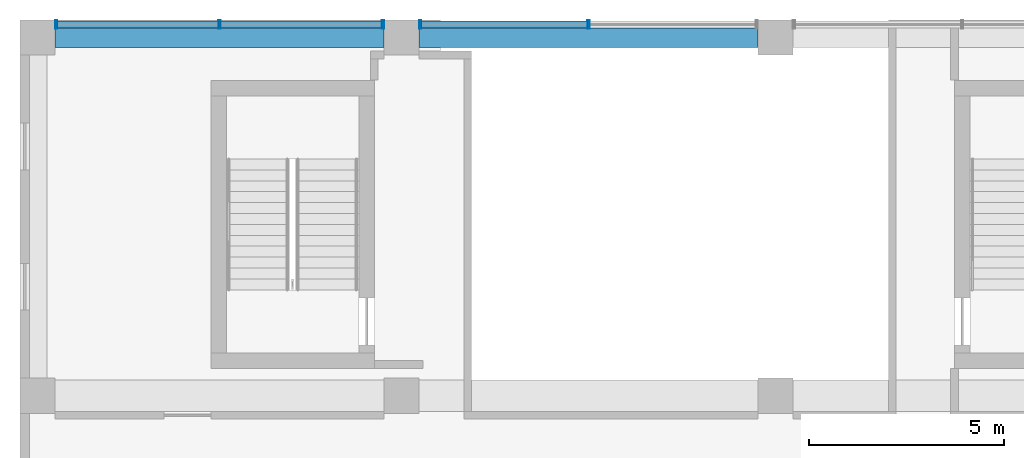
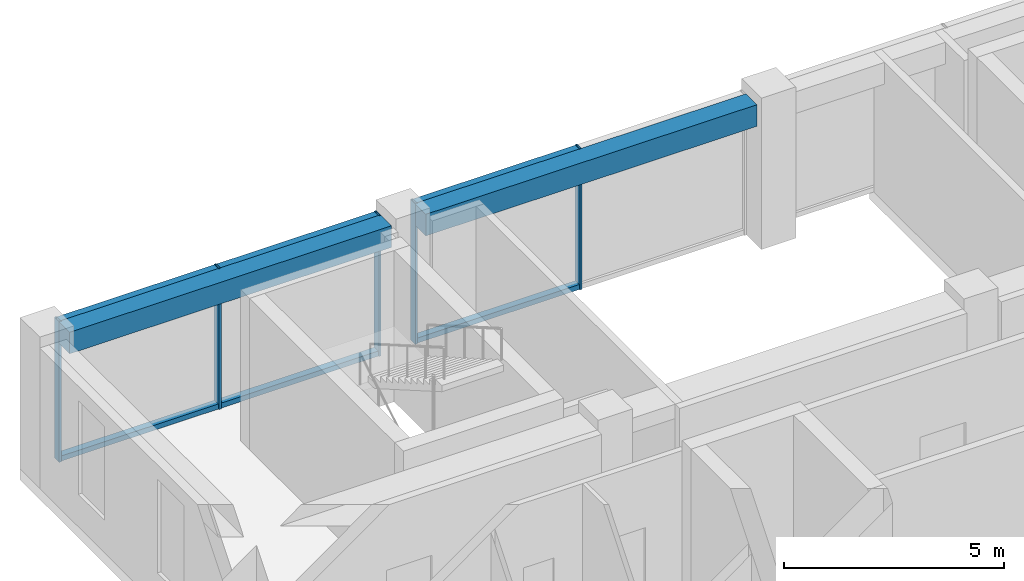
# One storey, part 21 of 37: 11 members, 2 beams, 2 elements without a shape of their own.
"""IFC4 building model written with IfcOpenShell, lengths in metres."""

from ifc_helpers import new_model, si_unit, direction, frame, origin, origin_2d, place, context, subcontext, project, spatial, rectangle, hollow_rectangle, extrude, material, layer, layer_set, material_profile, profile_set, type_object, element, aggregate, save


model = new_model("IFC4")

# Units and contexts
model_context = context("Model", 3, precision=1e-05, world=origin(), true_north=direction((0.0, 1.0)))
body_context = subcontext(model_context, "Body", "Model", "MODEL_VIEW")
ifc_project = project(units=[si_unit("LENGTHUNIT", "METRE"), si_unit("AREAUNIT", "SQUARE_METRE"), si_unit("VOLUMEUNIT", "CUBIC_METRE"), si_unit("PLANEANGLEUNIT", "RADIAN"), si_unit("MASSUNIT", "GRAM", prefix="KILO")], contexts=[model_context])

# Site, building, storey
site_placement = place(None, origin())
site = spatial("IfcSite", under=ifc_project, at=site_placement, CompositionType="ELEMENT")
building_placement = place(site_placement, origin())
building = spatial("IfcBuilding", under=site, at=building_placement, Name="Nzadi Deep Aquarium and Research Tower", CompositionType="ELEMENT")
storey_placement = place(building_placement, frame((0.0, 0.0, 61.300048828125)))
storey = spatial("IfcBuildingStorey", under=building, at=storey_placement, Name="L12", CompositionType="ELEMENT", Elevation=61.300048828125)

# Curtain wall, members
ifc_material_1 = material(Name="Aluminium unitised frame deep", Category="aluminium")
ifc_layer = layer(ifc_material_1, 0.22509765625)
ifc_layer_set = layer_set([ifc_layer], Name="Aluminium unitised frame deep")
curtain_wall_type = type_object("IfcCurtainWallType", Name="Curtain wall Unitised Deep 225", PredefinedType="NOTDEFINED", material=ifc_layer_set)
curtain_wall_1_placement = place(storey_placement, origin())
curtain_wall_1 = element("IfcCurtainWall", 1, at=curtain_wall_1_placement, inside=storey, type_object=curtain_wall_type, Name="Unitised curtain wall blade B north L12", PredefinedType="NOTDEFINED")
ifc_material_2 = material(Name="Aluminium unitised frame deep", Category="aluminium")
ifc_material_profile_1 = material_profile(ifc_material_2, hollow_rectangle(XDim=0.22509765625, YDim=0.06005859375, WallThickness=0.0048828125, at=origin_2d()))
ifc_profile_set_1 = profile_set([ifc_material_profile_1], Name="Aluminium unitised frame deep")
member_type_1 = type_object("IfcMemberType", Name="Mullion 60x225 Unitised Deep", PredefinedType="MULLION", material=ifc_profile_set_1)
member_1_placement = place(storey_placement, frame((0.72998046875, 46.33740234375, 0.0), z_axis=(0.0, 0.0, 1.0), x_axis=(0.0, 1.0, 0.0)))
member_1 = element("IfcMember", 2, at=member_1_placement, type_object=member_type_1, Name="CW158 mullion 1", PredefinedType="MULLION", context=body_context, shape_type="SweptSolid", body=[
    extrude(hollow_rectangle(XDim=0.22509765625, YDim=0.06005859375, WallThickness=0.0048828125, at=origin_2d()), origin(), (0.0, 0.0, 1.0), 3.89990234375),
])
member_2_placement = place(storey_placement, frame((4.925048828125, 46.33740234375, 0.0), z_axis=(0.0, 0.0, 1.0), x_axis=(0.0, 1.0, 0.0)))
member_2 = element("IfcMember", 3, at=member_2_placement, type_object=member_type_1, Name="CW158 mullion 2", PredefinedType="MULLION", context=body_context, shape_type="SweptSolid", body=[
    extrude(hollow_rectangle(XDim=0.22509765625, YDim=0.06005859375, WallThickness=0.0048828125, at=origin_2d()), origin(), (0.0, 0.0, 1.0), 3.89990234375),
])
member_3_placement = place(storey_placement, frame((9.1201171875, 46.33740234375, 0.0), z_axis=(0.0, 0.0, 1.0), x_axis=(0.0, 1.0, 0.0)))
member_3 = element("IfcMember", 4, at=member_3_placement, type_object=member_type_1, Name="CW158 mullion 3", PredefinedType="MULLION", context=body_context, shape_type="SweptSolid", body=[
    extrude(hollow_rectangle(XDim=0.22509765625, YDim=0.06005859375, WallThickness=0.0048828125, at=origin_2d()), origin(), (0.0, 0.0, 1.0), 3.89990234375),
])

curtain_wall_2_placement = place(storey_placement, origin())
curtain_wall_2 = element("IfcCurtainWall", 5, at=curtain_wall_2_placement, inside=storey, type_object=curtain_wall_type, Name="Unitised curtain wall blade B north L12", PredefinedType="NOTDEFINED")
member_4_placement = place(storey_placement, frame((10.080078125, 46.33740234375, 0.0), z_axis=(0.0, 0.0, 1.0), x_axis=(0.0, 1.0, 0.0)))
member_4 = element("IfcMember", 6, at=member_4_placement, type_object=member_type_1, Name="CW159 mullion 1", PredefinedType="MULLION", context=body_context, shape_type="SweptSolid", body=[
    extrude(hollow_rectangle(XDim=0.22509765625, YDim=0.06005859375, WallThickness=0.0048828125, at=origin_2d()), origin(), (0.0, 0.0, 1.0), 3.89990234375),
])
member_5_placement = place(storey_placement, frame((14.39990234375, 46.33740234375, 0.0), z_axis=(0.0, 0.0, 1.0), x_axis=(0.0, 1.0, 0.0)))
member_5 = element("IfcMember", 7, at=member_5_placement, type_object=member_type_1, Name="CW159 mullion 2", PredefinedType="MULLION", context=body_context, shape_type="SweptSolid", body=[
    extrude(hollow_rectangle(XDim=0.22509765625, YDim=0.06005859375, WallThickness=0.0048828125, at=origin_2d()), origin(), (0.0, 0.0, 1.0), 3.89990234375),
])

# Beams
ifc_material_3 = material(Name="Concrete C35/45", Category="concrete")
ifc_material_profile_2 = material_profile(ifc_material_3, rectangle(XDim=0.5, YDim=0.60009765625, at=origin_2d()))
ifc_profile_set_2 = profile_set([ifc_material_profile_2], Name="Concrete C35/45")
beam_type = type_object("IfcBeamType", Name="RC 500x600", PredefinedType="BEAM", material=ifc_profile_set_2)
beam_1_placement = place(storey_placement, frame((0.699951171875, 46.0, 3.599853515625), z_axis=(1.0, 0.0, 0.0), x_axis=(0.0, 1.0, 0.0)))
element("IfcBeam", 8, at=beam_1_placement, inside=storey, type_object=beam_type, Name="B-Z1-L12-L6-1", PredefinedType="BEAM", context=body_context, shape_type="SweptSolid", body=[
    extrude(rectangle(XDim=0.5, YDim=0.60009765625, at=origin_2d()), origin(), (0.0, 0.0, 1.0), 8.449951171875),
])
beam_2_placement = place(storey_placement, frame((10.050048828125, 46.0, 3.599853515625), z_axis=(1.0, 0.0, 0.0), x_axis=(0.0, 1.0, 0.0)))
element("IfcBeam", 9, at=beam_2_placement, inside=storey, type_object=beam_type, Name="B-Z1-L12-L6-2", PredefinedType="BEAM", context=body_context, shape_type="SweptSolid", body=[
    extrude(rectangle(XDim=0.5, YDim=0.60009765625, at=origin_2d()), origin(), (0.0, 0.0, 1.0), 8.699951171875),
])

# Member
ifc_material_4 = material(Name="Aluminium unitised frame deep", Category="aluminium")
ifc_material_profile_3 = material_profile(ifc_material_4, hollow_rectangle(XDim=0.179931640625, YDim=0.139892578125, WallThickness=0.0048828125, at=origin_2d()))
ifc_profile_set_3 = profile_set([ifc_material_profile_3], Name="Aluminium unitised frame deep")
member_type_2 = type_object("IfcMemberType", Name="Transom 140x180 Unitised Deep", PredefinedType="MULLION", material=ifc_profile_set_3)
member_6_placement = place(storey_placement, frame((0.760009765625, 46.33740234375, 0.070068359375), z_axis=(1.0, 0.0, 0.0), x_axis=(0.0, 1.0, 0.0)))
member_6 = element("IfcMember", 10, at=member_6_placement, type_object=member_type_2, Name="CW158 transom 1.1", PredefinedType="MULLION", context=body_context, shape_type="SweptSolid", body=[
    extrude(hollow_rectangle(XDim=0.179931640625, YDim=0.139892578125, WallThickness=0.0048828125, at=origin_2d()), origin(), (0.0, 0.0, 1.0), 4.135009765625),
])

member_7_placement = place(storey_placement, frame((0.760009765625, 46.33740234375, 3.829833984375), z_axis=(1.0, 0.0, 0.0), x_axis=(0.0, 1.0, 0.0)))
member_7 = element("IfcMember", 11, at=member_7_placement, type_object=member_type_2, Name="CW158 transom 1.2", PredefinedType="MULLION", context=body_context, shape_type="SweptSolid", body=[
    extrude(hollow_rectangle(XDim=0.179931640625, YDim=0.139892578125, WallThickness=0.0048828125, at=origin_2d()), origin(), (0.0, 0.0, 1.0), 4.135009765625),
])

member_8_placement = place(storey_placement, frame((4.955078125, 46.33740234375, 0.070068359375), z_axis=(1.0, 0.0, 0.0), x_axis=(0.0, 1.0, 0.0)))
member_8 = element("IfcMember", 12, at=member_8_placement, type_object=member_type_2, Name="CW158 transom 2.1", PredefinedType="MULLION", context=body_context, shape_type="SweptSolid", body=[
    extrude(hollow_rectangle(XDim=0.179931640625, YDim=0.139892578125, WallThickness=0.0048828125, at=origin_2d()), origin(), (0.0, 0.0, 1.0), 4.135009765625),
])

member_9_placement = place(storey_placement, frame((4.955078125, 46.33740234375, 3.829833984375), z_axis=(1.0, 0.0, 0.0), x_axis=(0.0, 1.0, 0.0)))
member_9 = element("IfcMember", 13, at=member_9_placement, type_object=member_type_2, Name="CW158 transom 2.2", PredefinedType="MULLION", context=body_context, shape_type="SweptSolid", body=[
    extrude(hollow_rectangle(XDim=0.179931640625, YDim=0.139892578125, WallThickness=0.0048828125, at=origin_2d()), origin(), (0.0, 0.0, 1.0), 4.135009765625),
])

aggregate(curtain_wall_1, [member_1, member_2, member_3, member_6, member_7, member_8, member_9])

member_10_placement = place(storey_placement, frame((10.110107421875, 46.33740234375, 0.070068359375), z_axis=(1.0, 0.0, 0.0), x_axis=(0.0, 1.0, 0.0)))
member_10 = element("IfcMember", 14, at=member_10_placement, type_object=member_type_2, Name="CW159 transom 1.1", PredefinedType="MULLION", context=body_context, shape_type="SweptSolid", body=[
    extrude(hollow_rectangle(XDim=0.179931640625, YDim=0.139892578125, WallThickness=0.0048828125, at=origin_2d()), origin(), (0.0, 0.0, 1.0), 4.260009765625),
])

member_11_placement = place(storey_placement, frame((10.110107421875, 46.33740234375, 3.829833984375), z_axis=(1.0, 0.0, 0.0), x_axis=(0.0, 1.0, 0.0)))
member_11 = element("IfcMember", 15, at=member_11_placement, type_object=member_type_2, Name="CW159 transom 1.2", PredefinedType="MULLION", context=body_context, shape_type="SweptSolid", body=[
    extrude(hollow_rectangle(XDim=0.179931640625, YDim=0.139892578125, WallThickness=0.0048828125, at=origin_2d()), origin(), (0.0, 0.0, 1.0), 4.260009765625),
])

aggregate(curtain_wall_2, [member_4, member_5, member_10, member_11])

save(model, "model.ifc")
